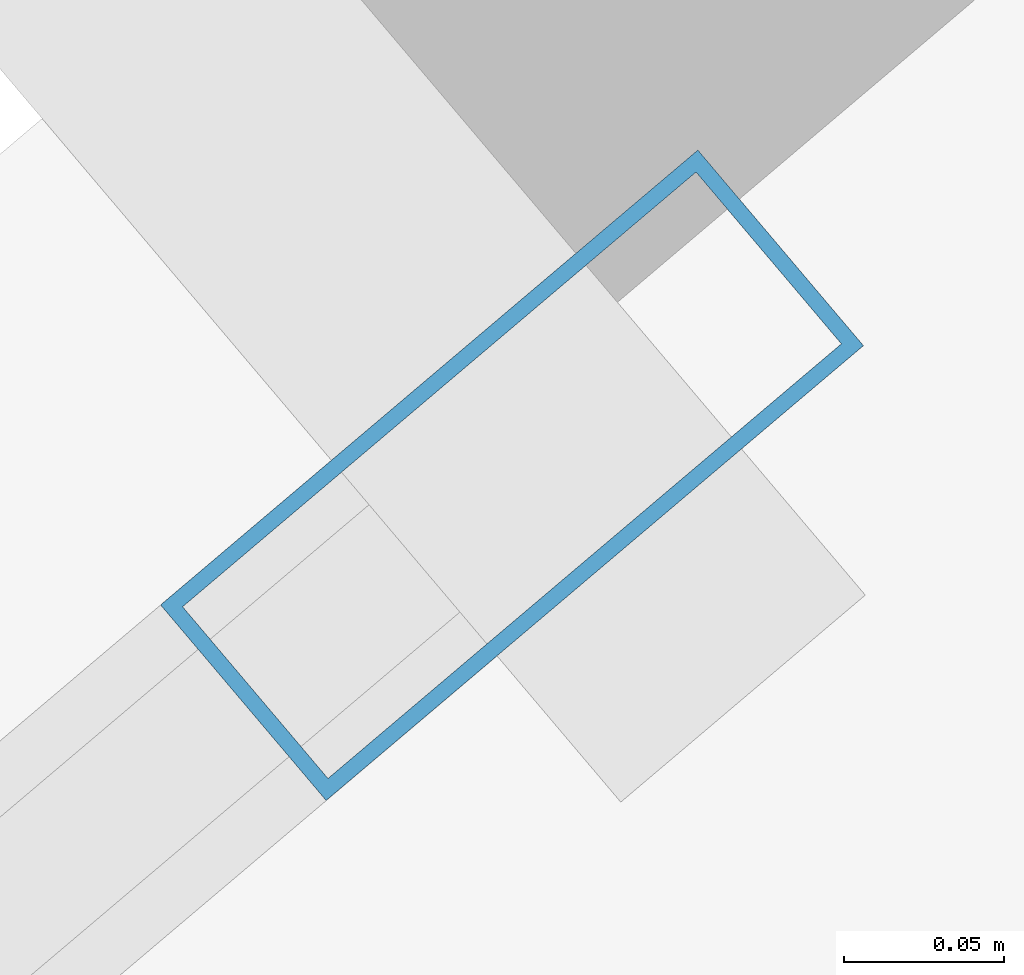
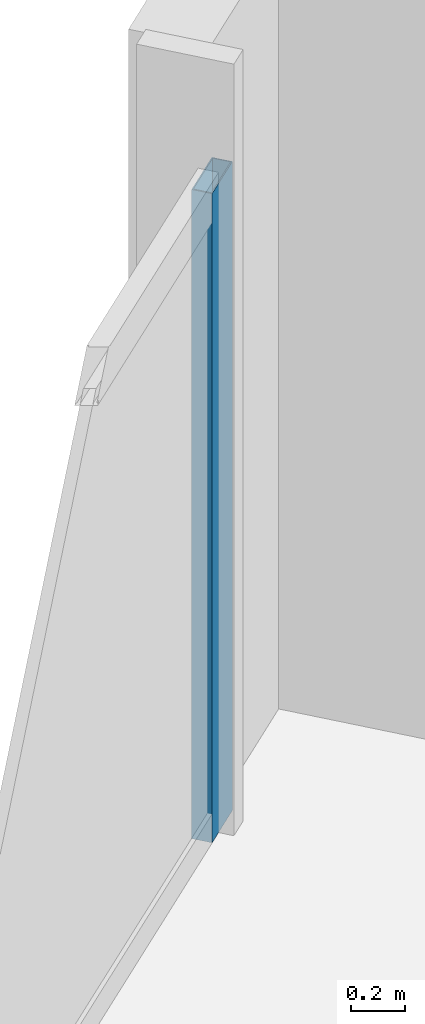
# One storey, part 20 of 34: 1 member, 1 element without a shape of its own.
"""IFC4 building model written with IfcOpenShell, lengths in metres."""

from ifc_helpers import new_model, si_unit, direction, frame, origin, origin_2d, place, context, subcontext, project, spatial, hollow_rectangle, extrude, material, material_profile, profile_set, type_object, element, aggregate, save


model = new_model("IFC4")

# Units and contexts
model_context = context("Model", 3, precision=1e-05, world=origin(), true_north=direction((0.0, 1.0)))
body_context = subcontext(model_context, "Body", "Model", "MODEL_VIEW")
ifc_project = project(units=[si_unit("LENGTHUNIT", "METRE"), si_unit("AREAUNIT", "SQUARE_METRE"), si_unit("VOLUMEUNIT", "CUBIC_METRE"), si_unit("PLANEANGLEUNIT", "RADIAN"), si_unit("MASSUNIT", "GRAM", prefix="KILO")], contexts=[model_context])

# Site, building, storey
site_placement = place(None, origin())
site = spatial("IfcSite", under=ifc_project, at=site_placement, CompositionType="ELEMENT")
building_placement = place(site_placement, origin())
building = spatial("IfcBuilding", under=site, at=building_placement, Name="Haldenkirk Collegiate Tower", CompositionType="ELEMENT")
storey_placement = place(building_placement, frame((0.0, 0.0, 163.199951171875)))
storey = spatial("IfcBuildingStorey", under=building, at=storey_placement, Name="L40", CompositionType="ELEMENT", Elevation=163.199951171875)

# Curtain wall, member
ifc_material = material(Name="Anodised architectural bronze aluminium", Category="aluminium")
curtain_wall_type = type_object("IfcCurtainWallType", Name="CW-SYS1-CONVEX-LOW", PredefinedType="USERDEFINED", material=ifc_material)
curtain_wall_placement = place(storey_placement, origin())
curtain_wall = element("IfcCurtainWall", 1, at=curtain_wall_placement, inside=storey, type_object=curtain_wall_type, Name="L40 Lower tower convex bronze-framed unitised curtain wall", ObjectType="UNITISED CURTAIN WALL", PredefinedType="USERDEFINED")
ifc_material_profile = material_profile(ifc_material, hollow_rectangle(XDim=0.080078125, YDim=0.219970703125, WallThickness=0.0048828125, at=origin_2d()), Name="CW-MUL-1A")
ifc_profile_set = profile_set([ifc_material_profile], Name="Anodised architectural bronze aluminium")
member_type = type_object("IfcMemberType", Name="CW-MUL-1A", PredefinedType="MULLION", material=ifc_profile_set)
member_placement = place(storey_placement, frame((36.16064453125, 56.624755859375, 0.0), z_axis=(0.0, 0.0, 1.0), x_axis=(-0.646124454254, 0.763232067994, 0.0)))
member = element("IfcMember", 2, at=member_placement, type_object=member_type, Name="CW-1A mullion 5", PredefinedType="MULLION", context=body_context, shape_type="SweptSolid", body=[
    extrude(hollow_rectangle(XDim=0.080078125, YDim=0.219970703125, WallThickness=0.0048828125, at=origin_2d()), origin(), (0.0, 0.0, 1.0), 2.9111328125),
])
aggregate(curtain_wall, [member])

save(model, "model.ifc")
